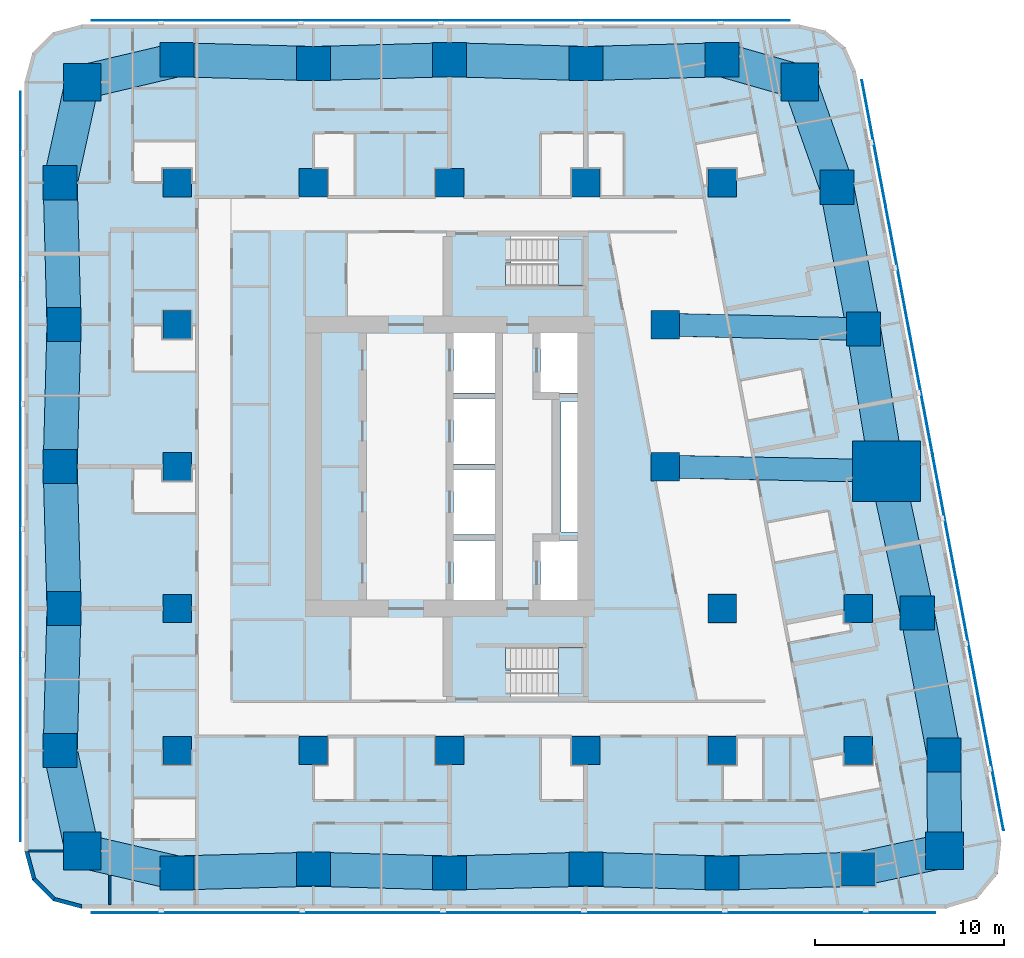
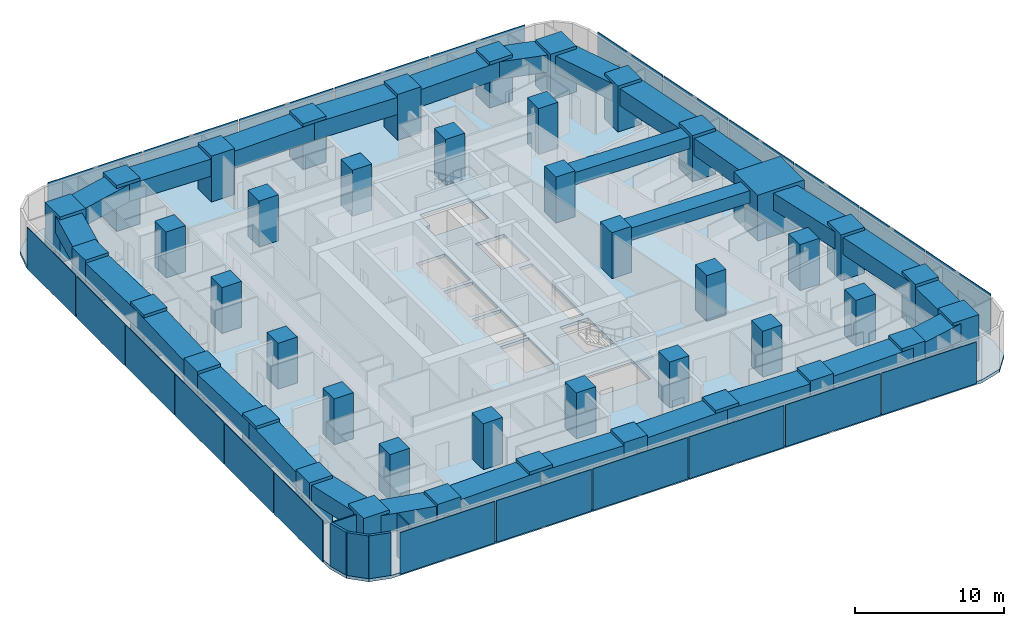
# One storey, part 1 of 15: 43 columns, 27 beams, 23 plates, 5 walls, 3 slabs, 2 elements without a shape of their own.
"""IFC4 building model written with IfcOpenShell, lengths in metres."""

from ifc_helpers import new_model, si_unit, direction, frame, frame_2d, origin, origin_2d, place, context, subcontext, project, spatial, polyline, rectangle, outline, extrude, material, layer, layer_set, material_profile, profile_set, type_object, element, aggregate, save


model = new_model("IFC4")

# Units and contexts
model_context = context("Model", 3, precision=1e-05, world=origin(), true_north=direction((0.0, 1.0)))
body_context = subcontext(model_context, "Body", "Model", "MODEL_VIEW")
ifc_project = project(units=[si_unit("LENGTHUNIT", "METRE"), si_unit("AREAUNIT", "SQUARE_METRE"), si_unit("VOLUMEUNIT", "CUBIC_METRE"), si_unit("PLANEANGLEUNIT", "RADIAN"), si_unit("MASSUNIT", "GRAM", prefix="KILO")], contexts=[model_context])

# Site, building, storey
site_placement = place(None, origin())
site = spatial("IfcSite", under=ifc_project, at=site_placement, CompositionType="ELEMENT")
building_placement = place(site_placement, origin())
building = spatial("IfcBuilding", under=site, at=building_placement, Name="Sheger Commons Tower", CompositionType="ELEMENT")
storey_placement = place(building_placement, frame((0.0, 0.0, 169.550048828125)))
storey = spatial("IfcBuildingStorey", under=building, at=storey_placement, Name="L43", CompositionType="ELEMENT", Elevation=169.550048828125)

# Columns
ifc_material_1 = material(Name="Concrete C50/60", Category="concrete")
ifc_material_profile_1 = material_profile(ifc_material_1, rectangle(XDim=3.60009765625, YDim=3.199951171875, at=origin_2d()), Name="RC 3600x3200")
ifc_profile_set_1 = profile_set([ifc_material_profile_1], Name="Concrete C50/60")
column_type_1 = type_object("IfcColumnType", Name="COLUMN PIER RC 3600x3200", PredefinedType="COLUMN", material=ifc_profile_set_1)
column_placement = place(storey_placement, frame((44.697021484375, 22.262939453125, 0.0), z_axis=(0.0, 0.0, 1.0), x_axis=(1.0, 0.0, 0.0)))
element("IfcColumn", 1, at=column_placement, inside=storey, type_object=column_type_1, Name="Pier 7/D+E/D L43", PredefinedType="COLUMN", context=body_context, shape_type="SweptSolid", body=[
    extrude(rectangle(XDim=3.60009765625, YDim=3.199951171875, at=origin_2d()), origin(), (0.0, 0.0, 1.0), 3.75),
])
ifc_material_2 = material(Name="Concrete C50/60", Category="concrete")
ifc_material_profile_2 = material_profile(ifc_material_2, rectangle(XDim=1.5, YDim=1.5, at=origin_2d()), Name="RC 1500x1500")
ifc_profile_set_2 = profile_set([ifc_material_profile_2], Name="Concrete C50/60")
column_type_2 = type_object("IfcColumnType", Name="COLUMN RC 1500x1500", PredefinedType="COLUMN", material=ifc_profile_set_2)
for number, where, z_axis, x_axis, name in (
    (2, (7.199951171875, 7.5, 0.0), (0.0, 0.0, 1.0), (1.0, 0.0, 0.0), "Column 2/B L43"),
    (3, (14.39990234375, 7.5, 0.0), (0.0, 0.0, 1.0), (1.0, 0.0, 0.0), "Column 3/B L43"),
    (4, (21.60009765625, 7.5, 0.0), (0.0, 0.0, 1.0), (1.0, 0.0, 0.0), "Column 4/B L43"),
    (5, (28.800048828125, 7.5, 0.0), (0.0, 0.0, 1.0), (1.0, 0.0, 0.0), "Column 5/B L43"),
    (6, (36.0, 7.5, 0.0), (0.0, 0.0, 1.0), (1.0, 0.0, 0.0), "Column 6/B L43"),
    (7, (43.199951171875, 7.5, 0.0), (0.0, 0.0, 1.0), (1.0, 0.0, 0.0), "Column 7/B L43"),
    (8, (7.199951171875, 15.0, 0.0), (0.0, 0.0, 1.0), (1.0, 0.0, 0.0), "Column 2/C L43"),
    (9, (36.0, 15.0, 0.0), (0.0, 0.0, 1.0), (1.0, 0.0, 0.0), "Column 6/C L43"),
    (10, (43.199951171875, 15.0, 0.0), (0.0, 0.0, 1.0), (1.0, 0.0, 0.0), "Column 7/C L43"),
    (11, (7.199951171875, 22.5, 0.0), (0.0, 0.0, 1.0), (1.0, 0.0, 0.0), "Column 2/D L43"),
    (12, (33.0, 22.5, 0.0), (0.0, 0.0, 1.0), (1.0, 0.0, 0.0), "Column 6-3000/D L43"),
    (13, (7.199951171875, 30.0, 0.0), (0.0, 0.0, 1.0), (1.0, 0.0, 0.0), "Column 2/E L43"),
    (14, (33.0, 30.0, 0.0), (0.0, 0.0, 1.0), (1.0, 0.0, 0.0), "Column 6-3000/E L43"),
    (15, (7.199951171875, 37.5, 0.0), (0.0, 0.0, 1.0), (1.0, 0.0, 0.0), "Column 2/F L43"),
    (16, (14.39990234375, 37.5, 0.0), (0.0, 0.0, 1.0), (1.0, 0.0, 0.0), "Column 3/F L43"),
    (17, (21.60009765625, 37.5, 0.0), (0.0, 0.0, 1.0), (1.0, 0.0, 0.0), "Column 4/F L43"),
    (18, (28.800048828125, 37.5, 0.0), (0.0, 0.0, 1.0), (1.0, 0.0, 0.0), "Column 5/F L43"),
    (19, (36.0, 37.5, 0.0), (0.0, 0.0, 1.0), (1.0, 0.0, 0.0), "Column 6/F L43"),
):
    element("IfcColumn", number, at=place(storey_placement, frame(where, z_axis=z_axis, x_axis=x_axis)), inside=storey, type_object=column_type_2, Name=name, PredefinedType="COLUMN", context=body_context, shape_type="SweptSolid", body=[
        extrude(rectangle(XDim=1.5, YDim=1.5, at=origin_2d()), origin(), (0.0, 0.0, 1.0), 3.75),
    ])
ifc_material_3 = material(Name="Concrete C50/60", Category="concrete")
ifc_material_profile_3 = material_profile(ifc_material_3, rectangle(XDim=1.800048828125, YDim=1.800048828125, at=origin_2d()), Name="RC 1800x1800")
ifc_profile_set_3 = profile_set([ifc_material_profile_3], Name="Concrete C50/60")
column_type_3 = type_object("IfcColumnType", Name="COLUMN RC 1800x1800", PredefinedType="COLUMN", material=ifc_profile_set_3)
for number, where, z_axis, x_axis, name in (
    (20, (7.199951171875, 1.02490234375, 0.0), (0.0, 0.0, 1.0), (1.0, 0.0, 0.0), "Column 2/A L43"),
    (21, (14.39990234375, 1.22509765625, 0.0), (0.0, 0.0, 1.0), (1.0, 0.0, 0.0), "Column 3/A L43"),
    (22, (21.60009765625, 1.02490234375, 0.0), (0.0, 0.0, 1.0), (1.0, 0.0, 0.0), "Column 4/A L43"),
    (23, (28.800048828125, 1.22509765625, 0.0), (0.0, 0.0, 1.0), (1.0, 0.0, 0.0), "Column 5/A L43"),
    (24, (36.0, 1.02490234375, 0.0), (0.0, 0.0, 1.0), (1.0, 0.0, 0.0), "Column 6/A L43"),
    (25, (43.199951171875, 1.22509765625, 0.0), (0.0, 0.0, 1.0), (1.0, 0.0, 0.0), "Column 7/A L43"),
    (26, (1.02490234375, 7.5, 0.0), (0.0, 0.0, 1.0), (1.0, 0.0, 0.0), "Column 1/B L43"),
    (27, (47.72998046875, 7.262939453125, 0.0), (0.0, 0.0, 1.0), (1.0, 0.0, 0.0), "Column E/B L43"),
    (28, (1.22509765625, 15.0, 0.0), (0.0, 0.0, 1.0), (1.0, 0.0, 0.0), "Column 1/C L43"),
    (29, (46.31396484375, 14.762939453125, 0.0), (0.0, 0.0, 1.0), (1.0, 0.0, 0.0), "Column E/C L43"),
    (30, (1.02490234375, 22.5, 0.0), (0.0, 0.0, 1.0), (1.0, 0.0, 0.0), "Column 1/D L43"),
    (31, (1.22509765625, 30.0, 0.0), (0.0, 0.0, 1.0), (1.0, 0.0, 0.0), "Column 1/E L43"),
    (32, (43.47998046875, 29.762939453125, 0.0), (0.0, 0.0, 1.0), (1.0, 0.0, 0.0), "Column E/E L43"),
    (33, (1.02490234375, 37.5, 0.0), (0.0, 0.0, 1.0), (1.0, 0.0, 0.0), "Column 1/F L43"),
    (34, (42.06396484375, 37.262939453125, 0.0), (0.0, 0.0, 1.0), (1.0, 0.0, 0.0), "Column E/F L43"),
    (35, (7.199951171875, 44.0, 0.0), (0.0, 0.0, 1.0), (1.0, 0.0, 0.0), "Column 2/G L43"),
    (36, (14.39990234375, 43.800048828125, 0.0), (0.0, 0.0, 1.0), (1.0, 0.0, 0.0), "Column 3/G L43"),
    (37, (21.60009765625, 44.0, 0.0), (0.0, 0.0, 1.0), (1.0, 0.0, 0.0), "Column 4/G L43"),
    (38, (28.800048828125, 43.800048828125, 0.0), (0.0, 0.0, 1.0), (1.0, 0.0, 0.0), "Column 5/G L43"),
    (39, (36.0, 44.0, 0.0), (0.0, 0.0, 1.0), (1.0, 0.0, 0.0), "Column 6/G L43"),
):
    element("IfcColumn", number, at=place(storey_placement, frame(where, z_axis=z_axis, x_axis=x_axis)), inside=storey, type_object=column_type_3, Name=name, PredefinedType="COLUMN", context=body_context, shape_type="SweptSolid", body=[
        extrude(rectangle(XDim=1.800048828125, YDim=1.800048828125, at=origin_2d()), origin(), (0.0, 0.0, 1.0), 3.75),
    ])
ifc_material_4 = material(Name="Concrete C50/60", Category="concrete")
ifc_material_profile_4 = material_profile(ifc_material_4, rectangle(XDim=2.0, YDim=2.0, at=origin_2d()), Name="RC 2000x2000")
ifc_profile_set_4 = profile_set([ifc_material_profile_4], Name="Concrete C50/60")
column_type_4 = type_object("IfcColumnType", Name="COLUMN RC 2000x2000", PredefinedType="COLUMN", material=ifc_profile_set_4)
for number, where, z_axis, x_axis, name in (
    (40, (2.18603515625, 2.18603515625, 0.0), (0.0, 0.0, 1.0), (1.0, 0.0, 0.0), "Column 0.630,0.630 L43"),
    (41, (47.748046875, 2.197021484375, 0.0), (0.0, 0.0, 1.0), (1.0, 0.0, 0.0), "Column 49.461,0.778 L43"),
    (42, (2.18603515625, 42.81396484375, 0.0), (0.0, 0.0, 1.0), (1.0, 0.0, 0.0), "Column 0.630,44.370 L43"),
    (43, (40.10205078125, 42.830078125, 0.0), (0.0, 0.0, 1.0), (1.0, 0.0, 0.0), "Column 41.490,44.505 L43"),
):
    element("IfcColumn", number, at=place(storey_placement, frame(where, z_axis=z_axis, x_axis=x_axis)), inside=storey, type_object=column_type_4, Name=name, PredefinedType="COLUMN", context=body_context, shape_type="SweptSolid", body=[
        extrude(rectangle(XDim=2.0, YDim=2.0, at=origin_2d()), origin(), (0.0, 0.0, 1.0), 3.75),
    ])

# Beams
ifc_material_5 = material(Name="Concrete C50/60", Category="concrete")
ifc_material_profile_5 = material_profile(ifc_material_5, rectangle(XDim=1.199951171875, YDim=1.0, at=origin_2d()), Name="RC 1200x1000")
ifc_profile_set_5 = profile_set([ifc_material_profile_5], Name="Concrete C50/60")
beam_type_1 = type_object("IfcBeamType", Name="BEAM RC 1200x1000", PredefinedType="BEAM", material=ifc_profile_set_5)
beam_1_placement = place(storey_placement, frame((33.0, 22.5, 3.0), z_axis=(0.999794692776, -0.02026258368, 0.0), x_axis=(0.02026258368, 0.999794692776, 0.0)))
element("IfcBeam", 44, at=beam_1_placement, inside=storey, type_object=beam_type_1, Name="Beam 6-3000/D-7/D under L44", PredefinedType="BEAM", context=body_context, shape_type="SweptSolid", body=[
    extrude(rectangle(XDim=1.199951171875, YDim=1.0, at=origin_2d()), origin(), (0.0, 0.0, 1.0), 11.699462890625),
])
beam_2_placement = place(storey_placement, frame((33.0, 30.0, 3.0), z_axis=(0.999744258625, -0.022614538395, 0.0), x_axis=(0.022614538395, 0.999744258625, 0.0)))
element("IfcBeam", 45, at=beam_2_placement, inside=storey, type_object=beam_type_1, Name="Beam 6-3000/E-E/E under L44", PredefinedType="BEAM", context=body_context, shape_type="SweptSolid", body=[
    extrude(rectangle(XDim=1.199951171875, YDim=1.0, at=origin_2d()), origin(), (0.0, 0.0, 1.0), 10.482666015625),
])
ifc_material_6 = material(Name="Concrete C50/60", Category="concrete")
ifc_material_profile_6 = material_profile(ifc_material_6, rectangle(XDim=1.800048828125, YDim=1.39990234375, at=origin_2d()), Name="RC 1800x1400")
ifc_profile_set_6 = profile_set([ifc_material_profile_6], Name="Concrete C50/60")
beam_type_2 = type_object("IfcBeamType", Name="SPANDREL RC 1800x1400", PredefinedType="SPANDREL", material=ifc_profile_set_6)
beam_3_placement = place(storey_placement, frame((2.18603515625, 2.18603515625, 2.800048828125), z_axis=(0.974217413499, -0.225611239159, 0.0), x_axis=(0.225611239159, 0.974217413499, 0.0)))
element("IfcBeam", 46, at=beam_3_placement, inside=storey, type_object=beam_type_2, Name="Beam 0.630,0.630-2/A under L44", PredefinedType="SPANDREL", context=body_context, shape_type="SweptSolid", body=[
    extrude(rectangle(XDim=1.800048828125, YDim=1.39990234375, at=origin_2d()), origin(), (0.0, 0.0, 1.0), 5.146728515625),
])
beam_4_placement = place(storey_placement, frame((7.199951171875, 1.02490234375, 2.800048828125), z_axis=(0.9996136624, 0.027794350926, 0.0), x_axis=(-0.027794350926, 0.9996136624, 0.0)))
element("IfcBeam", 47, at=beam_4_placement, inside=storey, type_object=beam_type_2, Name="Beam 2/A-3/A under L44", PredefinedType="SPANDREL", context=body_context, shape_type="SweptSolid", body=[
    extrude(rectangle(XDim=1.800048828125, YDim=1.39990234375, at=origin_2d()), origin(), (0.0, 0.0, 1.0), 7.20263671875),
])
beam_5_placement = place(storey_placement, frame((14.39990234375, 1.22509765625, 2.800048828125), z_axis=(0.999613688584, -0.027793409217, 0.0), x_axis=(0.027793409217, 0.999613688584, 0.0)))
element("IfcBeam", 48, at=beam_5_placement, inside=storey, type_object=beam_type_2, Name="Beam 3/A-4/A under L44", PredefinedType="SPANDREL", context=body_context, shape_type="SweptSolid", body=[
    extrude(rectangle(XDim=1.800048828125, YDim=1.39990234375, at=origin_2d()), origin(), (0.0, 0.0, 1.0), 7.202880859375),
])
for number, where, z_axis, x_axis, name in (
    (49, (21.60009765625, 1.02490234375, 2.800048828125), (0.9996136624, 0.027794350926, 0.0), (-0.027794350926, 0.9996136624, 0.0), "Beam 4/A-5/A under L44"),
    (50, (28.800048828125, 1.22509765625, 2.800048828125), (0.9996136624, -0.027794350926, 0.0), (0.027794350926, 0.9996136624, 0.0), "Beam 5/A-6/A under L44"),
    (51, (36.0, 1.02490234375, 2.800048828125), (0.9996136624, 0.027794350926, 0.0), (-0.027794350926, 0.9996136624, 0.0), "Beam 6/A-7/A under L44"),
):
    element("IfcBeam", number, at=place(storey_placement, frame(where, z_axis=z_axis, x_axis=x_axis)), inside=storey, type_object=beam_type_2, Name=name, PredefinedType="SPANDREL", context=body_context, shape_type="SweptSolid", body=[
        extrude(rectangle(XDim=1.800048828125, YDim=1.39990234375, at=origin_2d()), origin(), (0.0, 0.0, 1.0), 7.20263671875),
    ])
beam_6_placement = place(storey_placement, frame((43.199951171875, 1.22509765625, 2.800048828125), z_axis=(0.977919796671, 0.208980552394, 0.0), x_axis=(-0.208980552394, 0.977919796671, 0.0)))
element("IfcBeam", 52, at=beam_6_placement, inside=storey, type_object=beam_type_2, Name="Beam 7/A-49.461,0.778 under L44", PredefinedType="SPANDREL", context=body_context, shape_type="SweptSolid", body=[
    extrude(rectangle(XDim=1.800048828125, YDim=1.39990234375, at=origin_2d()), origin(), (0.0, 0.0, 1.0), 4.65087890625),
])
beam_7_placement = place(storey_placement, frame((47.748046875, 2.197021484375, 2.800048828125), z_axis=(-0.003566242382, 0.999993640937, 0.0), x_axis=(-0.999993640937, -0.003566242382, 0.0)))
element("IfcBeam", 53, at=beam_7_placement, inside=storey, type_object=beam_type_2, Name="Beam 49.461,0.778-E/B under L44", PredefinedType="SPANDREL", context=body_context, shape_type="SweptSolid", body=[
    extrude(rectangle(XDim=1.800048828125, YDim=1.39990234375, at=origin_2d()), origin(), (0.0, 0.0, 1.0), 5.06591796875),
])
beam_8_placement = place(storey_placement, frame((47.72998046875, 7.262939453125, 2.800048828125), z_axis=(-0.18552441405, 0.982639655108, 0.0), x_axis=(-0.982639655108, -0.18552441405, 0.0)))
element("IfcBeam", 54, at=beam_8_placement, inside=storey, type_object=beam_type_2, Name="Beam E/B-E/C under L44", PredefinedType="SPANDREL", context=body_context, shape_type="SweptSolid", body=[
    extrude(rectangle(XDim=1.800048828125, YDim=1.39990234375, at=origin_2d()), origin(), (0.0, 0.0, 1.0), 7.632568359375),
])
beam_9_placement = place(storey_placement, frame((46.31396484375, 14.762939453125, 2.800048828125), z_axis=(-0.210750229323, 0.977539943348, 0.0), x_axis=(-0.977539943348, -0.210750229323, 0.0)))
element("IfcBeam", 55, at=beam_9_placement, inside=storey, type_object=beam_type_2, Name="Beam E/C-E/D under L44", PredefinedType="SPANDREL", context=body_context, shape_type="SweptSolid", body=[
    extrude(rectangle(XDim=1.800048828125, YDim=1.39990234375, at=origin_2d()), origin(), (0.0, 0.0, 1.0), 7.67236328125),
])
beam_10_placement = place(storey_placement, frame((44.697021484375, 22.262939453125, 2.800048828125), z_axis=(-0.160176929512, 0.987088319884, 0.0), x_axis=(-0.987088319884, -0.160176929512, 0.0)))
element("IfcBeam", 56, at=beam_10_placement, inside=storey, type_object=beam_type_2, Name="Beam E/D-E/E under L44", PredefinedType="SPANDREL", context=body_context, shape_type="SweptSolid", body=[
    extrude(rectangle(XDim=1.800048828125, YDim=1.39990234375, at=origin_2d()), origin(), (0.0, 0.0, 1.0), 7.59814453125),
])
beam_11_placement = place(storey_placement, frame((43.47998046875, 29.762939453125, 2.800048828125), z_axis=(-0.18552441405, 0.982639655108, 0.0), x_axis=(-0.982639655108, -0.18552441405, 0.0)))
element("IfcBeam", 57, at=beam_11_placement, inside=storey, type_object=beam_type_2, Name="Beam E/E-E/F under L44", PredefinedType="SPANDREL", context=body_context, shape_type="SweptSolid", body=[
    extrude(rectangle(XDim=1.800048828125, YDim=1.39990234375, at=origin_2d()), origin(), (0.0, 0.0, 1.0), 7.632568359375),
])
beam_12_placement = place(storey_placement, frame((42.06396484375, 37.262939453125, 2.800048828125), z_axis=(-0.332374403357, 0.943147526102, 0.0), x_axis=(-0.943147526102, -0.332374403357, 0.0)))
element("IfcBeam", 58, at=beam_12_placement, inside=storey, type_object=beam_type_2, Name="Beam E/F-41.490,44.505 under L44", PredefinedType="SPANDREL", context=body_context, shape_type="SweptSolid", body=[
    extrude(rectangle(XDim=1.800048828125, YDim=1.39990234375, at=origin_2d()), origin(), (0.0, 0.0, 1.0), 5.90283203125),
])
beam_13_placement = place(storey_placement, frame((40.10205078125, 42.830078125, 2.800048828125), z_axis=(-0.961653428129, 0.274267541221, 0.0), x_axis=(-0.274267541221, -0.961653428129, 0.0)))
element("IfcBeam", 59, at=beam_13_placement, inside=storey, type_object=beam_type_2, Name="Beam 41.490,44.505-6/G under L44", PredefinedType="SPANDREL", context=body_context, shape_type="SweptSolid", body=[
    extrude(rectangle(XDim=1.800048828125, YDim=1.39990234375, at=origin_2d()), origin(), (0.0, 0.0, 1.0), 4.265625),
])
for number, where, z_axis, x_axis, name in (
    (60, (36.0, 44.0, 2.800048828125), (-0.999614603568, -0.027760481514, 0.0), (0.027760481514, -0.999614603568, 0.0), "Beam 6/G-5/G under L44"),
    (61, (28.800048828125, 43.800048828125, 2.800048828125), (-0.999614603568, 0.027760481514, 0.0), (-0.027760481514, -0.999614603568, 0.0), "Beam 5/G-4/G under L44"),
):
    element("IfcBeam", number, at=place(storey_placement, frame(where, z_axis=z_axis, x_axis=x_axis)), inside=storey, type_object=beam_type_2, Name=name, PredefinedType="SPANDREL", context=body_context, shape_type="SweptSolid", body=[
        extrude(rectangle(XDim=1.800048828125, YDim=1.39990234375, at=origin_2d()), origin(), (0.0, 0.0, 1.0), 7.20263671875),
    ])
beam_14_placement = place(storey_placement, frame((21.60009765625, 44.0, 2.800048828125), z_axis=(-0.999614629688, -0.027759540951, 0.0), x_axis=(0.027759540951, -0.999614629688, 0.0)))
element("IfcBeam", 62, at=beam_14_placement, inside=storey, type_object=beam_type_2, Name="Beam 4/G-3/G under L44", PredefinedType="SPANDREL", context=body_context, shape_type="SweptSolid", body=[
    extrude(rectangle(XDim=1.800048828125, YDim=1.39990234375, at=origin_2d()), origin(), (0.0, 0.0, 1.0), 7.202880859375),
])
beam_15_placement = place(storey_placement, frame((14.39990234375, 43.800048828125, 2.800048828125), z_axis=(-0.999614603568, 0.027760481514, 0.0), x_axis=(-0.027760481514, -0.999614603568, 0.0)))
element("IfcBeam", 63, at=beam_15_placement, inside=storey, type_object=beam_type_2, Name="Beam 3/G-2/G under L44", PredefinedType="SPANDREL", context=body_context, shape_type="SweptSolid", body=[
    extrude(rectangle(XDim=1.800048828125, YDim=1.39990234375, at=origin_2d()), origin(), (0.0, 0.0, 1.0), 7.20263671875),
])
beam_16_placement = place(storey_placement, frame((7.199951171875, 44.0, 2.800048828125), z_axis=(-0.97314428949, -0.230195985701, 0.0), x_axis=(0.230195985701, -0.97314428949, 0.0)))
element("IfcBeam", 64, at=beam_16_placement, inside=storey, type_object=beam_type_2, Name="Beam 2/G-0.630,44.370 under L44", PredefinedType="SPANDREL", context=body_context, shape_type="SweptSolid", body=[
    extrude(rectangle(XDim=1.800048828125, YDim=1.39990234375, at=origin_2d()), origin(), (0.0, 0.0, 1.0), 5.15234375),
])
beam_17_placement = place(storey_placement, frame((2.18603515625, 42.81396484375, 2.800048828125), z_axis=(-0.213469314652, -0.976949769283, 0.0), x_axis=(0.976949769283, -0.213469314652, 0.0)))
element("IfcBeam", 65, at=beam_17_placement, inside=storey, type_object=beam_type_2, Name="Beam 0.630,44.370-1/F under L44", PredefinedType="SPANDREL", context=body_context, shape_type="SweptSolid", body=[
    extrude(rectangle(XDim=1.800048828125, YDim=1.39990234375, at=origin_2d()), origin(), (0.0, 0.0, 1.0), 5.439453125),
])
for number, where, z_axis, x_axis, name in (
    (66, (1.02490234375, 37.5, 2.800048828125), (0.026683204125, -0.999643939919, 0.0), (0.999643939919, 0.026683204125, 0.0), "Beam 1/F-1/E under L44"),
    (67, (1.22509765625, 30.0, 2.800048828125), (-0.026683204125, -0.999643939919, 0.0), (0.999643939919, -0.026683204125, 0.0), "Beam 1/E-1/D under L44"),
    (68, (1.02490234375, 22.5, 2.800048828125), (0.026683204125, -0.999643939919, 0.0), (0.999643939919, 0.026683204125, 0.0), "Beam 1/D-1/C under L44"),
    (69, (1.22509765625, 15.0, 2.800048828125), (-0.026683204125, -0.999643939919, 0.0), (0.999643939919, -0.026683204125, 0.0), "Beam 1/C-1/B under L44"),
):
    element("IfcBeam", number, at=place(storey_placement, frame(where, z_axis=z_axis, x_axis=x_axis)), inside=storey, type_object=beam_type_2, Name=name, PredefinedType="SPANDREL", context=body_context, shape_type="SweptSolid", body=[
        extrude(rectangle(XDim=1.800048828125, YDim=1.39990234375, at=origin_2d()), origin(), (0.0, 0.0, 1.0), 7.502685546875),
    ])
beam_18_placement = place(storey_placement, frame((1.02490234375, 7.5, 2.800048828125), z_axis=(0.213469314652, -0.976949769283, 0.0), x_axis=(0.976949769283, 0.213469314652, 0.0)))
element("IfcBeam", 70, at=beam_18_placement, inside=storey, type_object=beam_type_2, Name="Beam 1/B-0.630,0.630 under L44", PredefinedType="SPANDREL", context=body_context, shape_type="SweptSolid", body=[
    extrude(rectangle(XDim=1.800048828125, YDim=1.39990234375, at=origin_2d()), origin(), (0.0, 0.0, 1.0), 5.439453125),
])

# Slab
ifc_material_7 = material(Name="Concrete C35/45", Category="concrete")
ifc_layer_1 = layer(ifc_material_7, 0.25)
ifc_layer_set_1 = layer_set([ifc_layer_1], Name="SLAB FLOOR 250")
slab_type_1 = type_object("IfcSlabType", Name="SLAB FLOOR 250", PredefinedType="FLOOR", material=ifc_layer_set_1)
slab_1_placement = place(storey_placement, frame((0.0, 0.0, -0.25)))
element("IfcSlab", 71, at=slab_1_placement, inside=storey, type_object=slab_type_1, Name="L43 floor slab", PredefinedType="FLOOR", context=body_context, shape_type="SweptSolid", body=[
    extrude(outline(polyline([(-0.85009765625, 2.14990234375), (-0.447998046875, 0.64990234375), (0.64990234375, -0.447998046875), (2.14990234375, -0.85009765625), (47.805908203125, -0.85009765625), (49.465087890625, -0.35009765625), (50.570068359375, 0.98388671875), (50.75390625, 2.70703125), (43.06591796875, 43.406982421875), (42.509033203125, 44.660888671875), (41.452880859375, 45.535888671875), (40.117919921875, 45.85009765625), (2.14990234375, 45.85009765625), (0.64990234375, 45.447998046875), (-0.447998046875, 44.35009765625), (-0.85009765625, 42.85009765625), (-0.85009765625, 2.14990234375)]), holes=[polyline([(24.85009765625, 10.35009765625), (28.64990234375, 10.35009765625), (28.64990234375, 12.949951171875), (24.551025390625, 12.949951171875), (24.551025390625, 11.75), (24.85009765625, 11.75), (24.85009765625, 10.35009765625)]), polyline([(24.551025390625, 32.050048828125), (28.64990234375, 32.050048828125), (28.64990234375, 34.64990234375), (24.85009765625, 34.64990234375), (24.85009765625, 33.25), (24.551025390625, 33.25), (24.551025390625, 32.050048828125)]), polyline([(26.39990234375, 15.14990234375), (28.60009765625, 15.14990234375), (28.60009765625, 18.60009765625), (26.39990234375, 18.60009765625), (26.39990234375, 15.14990234375)]), polyline([(26.39990234375, 26.39990234375), (28.60009765625, 26.39990234375), (28.60009765625, 29.85009765625), (26.39990234375, 29.85009765625), (26.39990234375, 26.39990234375)]), polyline([(21.800048828125, 15.14990234375), (24.0, 15.14990234375), (24.0, 18.60009765625), (21.800048828125, 18.60009765625), (21.800048828125, 15.14990234375)]), polyline([(21.800048828125, 18.89990234375), (24.0, 18.89990234375), (24.0, 22.35009765625), (21.800048828125, 22.35009765625), (21.800048828125, 18.89990234375)]), polyline([(21.800048828125, 22.64990234375), (24.0, 22.64990234375), (24.0, 26.10009765625), (21.800048828125, 26.10009765625), (21.800048828125, 22.64990234375)]), polyline([(21.800048828125, 26.39990234375), (24.0, 26.39990234375), (24.0, 29.85009765625), (21.800048828125, 29.85009765625), (21.800048828125, 26.39990234375)]), polyline([(27.5, 19.050048828125), (28.5, 19.050048828125), (28.5, 25.949951171875), (27.5, 25.949951171875), (27.5, 19.050048828125)])]), origin(), (0.0, 0.0, 1.0), 0.25),
])

# Plates
ifc_material_8 = material(Name="Perforated black anodised aluminium screen", Category="aluminium")
ifc_layer_2 = layer(ifc_material_8, 0.050048828125)
ifc_layer_set_2 = layer_set([ifc_layer_2], Name="SOLAR SCREEN SCREEN-1")
plate_type = type_object("IfcPlateType", Name="SOLAR SCREEN SCREEN-1", PredefinedType="USERDEFINED", material=ifc_layer_set_2)
for number, where, z_axis, x_axis, name in (
    (72, (6.37109375, -1.074951171875, 0.050048828125), (0.0, 0.0, 1.0), (1.0, 0.0, 0.0), "Perforated solar screen panel"),
    (73, (13.81396484375, -1.074951171875, 0.050048828125), (0.0, 0.0, 1.0), (1.0, 0.0, 0.0), "Perforated solar screen panel"),
    (74, (21.257080078125, -1.074951171875, 0.050048828125), (0.0, 0.0, 1.0), (1.0, 0.0, 0.0), "Perforated solar screen panel"),
    (75, (28.698974609375, -1.074951171875, 0.050048828125), (0.0, 0.0, 1.0), (1.0, 0.0, 0.0), "Perforated solar screen panel"),
    (76, (36.14208984375, -1.074951171875, 0.050048828125), (0.0, 0.0, 1.0), (1.0, 0.0, 0.0), "Perforated solar screen panel"),
    (77, (43.5849609375, -1.074951171875, 0.050048828125), (0.0, 0.0, 1.0), (1.0, 0.0, 0.0), "Perforated solar screen panel"),
):
    element("IfcPlate", number, at=place(storey_placement, frame(where, z_axis=z_axis, x_axis=x_axis)), inside=storey, type_object=plate_type, Name=name, ObjectType="SCREEN", PredefinedType="USERDEFINED", context=body_context, shape_type="SweptSolid", body=[
        extrude(rectangle(XDim=7.343017578125, YDim=0.050048828125, at=origin_2d()), origin(), (0.0, 0.0, 1.0), 3.39990234375),
    ])
for number, where, z_axis, x_axis, name in (
    (78, (50.257080078125, 6.550048828125, 0.050048828125), (0.0, 0.0, 1.0), (-0.185615165645, 0.982622516678, 0.0), "Perforated solar screen panel"),
    (79, (49.007080078125, 13.1689453125, 0.050048828125), (0.0, 0.0, 1.0), (-0.185615165645, 0.982622516678, 0.0), "Perforated solar screen panel"),
    (80, (47.756103515625, 19.7890625, 0.050048828125), (0.0, 0.0, 1.0), (-0.185615165645, 0.982622516678, 0.0), "Perforated solar screen panel"),
    (81, (46.506103515625, 26.408935546875, 0.050048828125), (0.0, 0.0, 1.0), (-0.185615165645, 0.982622516678, 0.0), "Perforated solar screen panel"),
    (82, (45.2548828125, 33.028076171875, 0.050048828125), (0.0, 0.0, 1.0), (-0.185615165645, 0.982622516678, 0.0), "Perforated solar screen panel"),
    (83, (44.0048828125, 39.64794921875, 0.050048828125), (0.0, 0.0, 1.0), (-0.185615165645, 0.982622516678, 0.0), "Perforated solar screen panel"),
):
    element("IfcPlate", number, at=place(storey_placement, frame(where, z_axis=z_axis, x_axis=x_axis)), inside=storey, type_object=plate_type, Name=name, ObjectType="SCREEN", PredefinedType="USERDEFINED", context=body_context, shape_type="SweptSolid", body=[
        extrude(rectangle(XDim=6.636962890625, YDim=0.050048828125, at=origin_2d()), origin(), (0.0, 0.0, 1.0), 3.39990234375),
    ])
for number, where, z_axis, x_axis, name in (
    (84, (35.9208984375, 46.074951171875, 0.050048828125), (0.0, 0.0, 1.0), (-1.0, 0.0, 0.0), "Perforated solar screen panel"),
    (85, (28.528076171875, 46.074951171875, 0.050048828125), (0.0, 0.0, 1.0), (-1.0, 0.0, 0.0), "Perforated solar screen panel"),
    (86, (21.134033203125, 46.074951171875, 0.050048828125), (0.0, 0.0, 1.0), (-1.0, 0.0, 0.0), "Perforated solar screen panel"),
    (87, (13.739990234375, 46.074951171875, 0.050048828125), (0.0, 0.0, 1.0), (-1.0, 0.0, 0.0), "Perforated solar screen panel"),
    (88, (6.346923828125, 46.074951171875, 0.050048828125), (0.0, 0.0, 1.0), (-1.0, 0.0, 0.0), "Perforated solar screen panel"),
):
    element("IfcPlate", number, at=place(storey_placement, frame(where, z_axis=z_axis, x_axis=x_axis)), inside=storey, type_object=plate_type, Name=name, ObjectType="SCREEN", PredefinedType="USERDEFINED", context=body_context, shape_type="SweptSolid", body=[
        extrude(rectangle(XDim=7.2939453125, YDim=0.050048828125, at=origin_2d()), origin(), (0.0, 0.0, 1.0), 3.39990234375),
    ])
for number, where, z_axis, x_axis, name in (
    (89, (-1.074951171875, 39.0419921875, 0.050048828125), (0.0, 0.0, 1.0), (0.0, -1.0, 0.0), "Perforated solar screen panel"),
    (90, (-1.074951171875, 32.425048828125, 0.050048828125), (0.0, 0.0, 1.0), (0.0, -1.0, 0.0), "Perforated solar screen panel"),
    (91, (-1.074951171875, 25.80810546875, 0.050048828125), (0.0, 0.0, 1.0), (0.0, -1.0, 0.0), "Perforated solar screen panel"),
    (92, (-1.074951171875, 19.19189453125, 0.050048828125), (0.0, 0.0, 1.0), (0.0, -1.0, 0.0), "Perforated solar screen panel"),
    (93, (-1.074951171875, 12.574951171875, 0.050048828125), (0.0, 0.0, 1.0), (0.0, -1.0, 0.0), "Perforated solar screen panel"),
    (94, (-1.074951171875, 5.9580078125, 0.050048828125), (0.0, 0.0, 1.0), (0.0, -1.0, 0.0), "Perforated solar screen panel"),
):
    element("IfcPlate", number, at=place(storey_placement, frame(where, z_axis=z_axis, x_axis=x_axis)), inside=storey, type_object=plate_type, Name=name, ObjectType="SCREEN", PredefinedType="USERDEFINED", context=body_context, shape_type="SweptSolid", body=[
        extrude(rectangle(XDim=6.51708984375, YDim=0.050048828125, at=origin_2d()), origin(), (0.0, 0.0, 1.0), 3.39990234375),
    ])

# Stair, slab
ifc_material_9 = material(Name="Concrete C35/45", Category="concrete")
stair_type = type_object("IfcStairType", Name="HALF-TURN STAIR 1200 RISE 3750", PredefinedType="HALF_TURN_STAIR", material=ifc_material_9)
stair_1_placement = place(storey_placement, origin())
stair_1 = element("IfcStair", 95, at=stair_1_placement, inside=storey, type_object=stair_type, Name="Stair S1 L43", PredefinedType="HALF_TURN_STAIR")
ifc_material_10 = material(Name="Concrete C35/45", Category="concrete")
ifc_layer_3 = layer(ifc_material_10, 0.199951171875)
ifc_layer_set_3 = layer_set([ifc_layer_3], Name="STAIR LANDING 200")
slab_type_2 = type_object("IfcSlabType", Name="STAIR LANDING 200", PredefinedType="LANDING", material=ifc_layer_set_3)
slab_2_placement = place(storey_placement, frame((0.0, 0.0, 1.675048828125)))
slab_2 = element("IfcSlab", 96, at=slab_2_placement, type_object=slab_type_2, Name="S1 landing 1", PredefinedType="LANDING", context=body_context, shape_type="SweptSolid", body=[
    extrude(outline(polyline([(27.35009765625, 10.199951171875), (28.800048828125, 10.199951171875), (28.800048828125, 12.949951171875), (27.35009765625, 12.949951171875), (27.35009765625, 10.199951171875)])), origin(), (0.0, 0.0, 1.0), 0.199951171875),
])
aggregate(stair_1, [slab_2])

stair_2_placement = place(storey_placement, origin())
stair_2 = element("IfcStair", 97, at=stair_2_placement, inside=storey, type_object=stair_type, Name="Stair S2 L43", PredefinedType="HALF_TURN_STAIR")
slab_3_placement = place(storey_placement, frame((0.0, 0.0, 1.675048828125)))
slab_3 = element("IfcSlab", 98, at=slab_3_placement, type_object=slab_type_2, Name="S2 landing 1", PredefinedType="LANDING", context=body_context, shape_type="SweptSolid", body=[
    extrude(outline(polyline([(27.35009765625, 32.050048828125), (28.800048828125, 32.050048828125), (28.800048828125, 34.800048828125), (27.35009765625, 34.800048828125), (27.35009765625, 32.050048828125)])), origin(), (0.0, 0.0, 1.0), 0.199951171875),
])
aggregate(stair_2, [slab_3])

# Walls
ifc_material_11 = material(Name="Rendered concrete block masonry, dark grey", Category="masonry")
ifc_layer_4 = layer(ifc_material_11, 0.199951171875)
ifc_layer_set_4 = layer_set([ifc_layer_4], Name="FACADE WALL 200")
wall_type_1 = type_object("IfcWallType", Name="FACADE WALL 200", PredefinedType="SOLIDWALL", material=ifc_layer_set_4)
wall_1_placement = place(storey_placement, frame((-0.75, 2.1630859375, 0.0), z_axis=(0.0, 0.0, 1.0), x_axis=(0.259168954497, -0.965832000415, 0.0)))
element("IfcWall", 99, at=wall_1_placement, inside=storey, type_object=wall_type_1, Name="Facade wall L43", PredefinedType="SOLIDWALL", context=body_context, shape_type="SweptSolid", body=[
    extrude(rectangle(XDim=1.512939453125, YDim=0.199951171875, at=frame_2d((0.75634765625, 0.0))), origin(), (0.0, 0.0, 1.0), 3.5),
])
wall_2_placement = place(storey_placement, frame((-0.35791015625, 0.701904296875, 0.0), z_axis=(0.0, 0.0, 1.0), x_axis=(0.707106781187, -0.707106781187, 0.0)))
element("IfcWall", 100, at=wall_2_placement, inside=storey, type_object=wall_type_1, Name="Facade wall L43", PredefinedType="SOLIDWALL", context=body_context, shape_type="SweptSolid", body=[
    extrude(rectangle(XDim=1.498779296875, YDim=0.199951171875, at=frame_2d((0.74951171875, 0.0))), origin(), (0.0, 0.0, 1.0), 3.5),
])
wall_3_placement = place(storey_placement, frame((0.701904296875, -0.35791015625, 0.0), z_axis=(0.0, 0.0, 1.0), x_axis=(0.965832000415, -0.259168954497, 0.0)))
element("IfcWall", 101, at=wall_3_placement, inside=storey, type_object=wall_type_1, Name="Facade wall L43", PredefinedType="SOLIDWALL", context=body_context, shape_type="SweptSolid", body=[
    extrude(rectangle(XDim=1.512939453125, YDim=0.199951171875, at=frame_2d((0.75634765625, 0.0))), origin(), (0.0, 0.0, 1.0), 3.5),
])
ifc_material_12 = material(Name="Gypsum board on steel studs", Category="steel")
ifc_layer_5 = layer(ifc_material_12, 0.10009765625)
ifc_layer_set_5 = layer_set([ifc_layer_5], Name="PARTITION 100")
wall_type_2 = type_object("IfcWallType", Name="PARTITION 100", PredefinedType="PARTITIONING", material=ifc_layer_set_5)
wall_4_placement = place(storey_placement, frame((3.64990234375, -0.64990234375, 0.0), z_axis=(0.0, 0.0, 1.0), x_axis=(0.0, 1.0, 0.0)))
element("IfcWall", 102, at=wall_4_placement, inside=storey, type_object=wall_type_2, Name="Partition L43", PredefinedType="PARTITIONING", context=body_context, shape_type="SweptSolid", body=[
    extrude(rectangle(XDim=1.56201171875, YDim=0.10009765625, at=frame_2d((0.781005859375, 0.0))), origin(), (0.0, 0.0, 1.0), 3.5),
])
wall_5_placement = place(storey_placement, frame((-0.64990234375, 2.18603515625, 0.0), z_axis=(0.0, 0.0, 1.0), x_axis=(1.0, 0.0, 0.0)))
element("IfcWall", 103, at=wall_5_placement, inside=storey, type_object=wall_type_2, Name="Partition L43", PredefinedType="PARTITIONING", context=body_context, shape_type="SweptSolid", body=[
    extrude(rectangle(XDim=1.8349609375, YDim=0.10009765625, at=frame_2d((0.91748046875, 0.0))), origin(), (0.0, 0.0, 1.0), 3.5),
])

save(model, "model.ifc")
